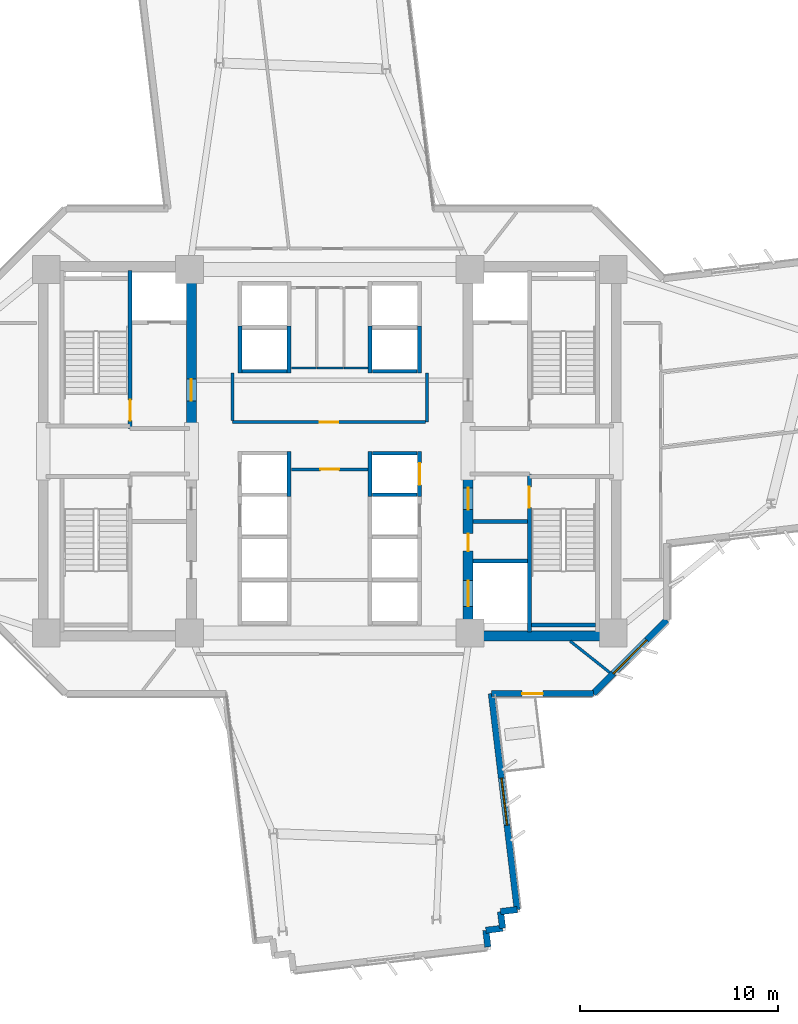
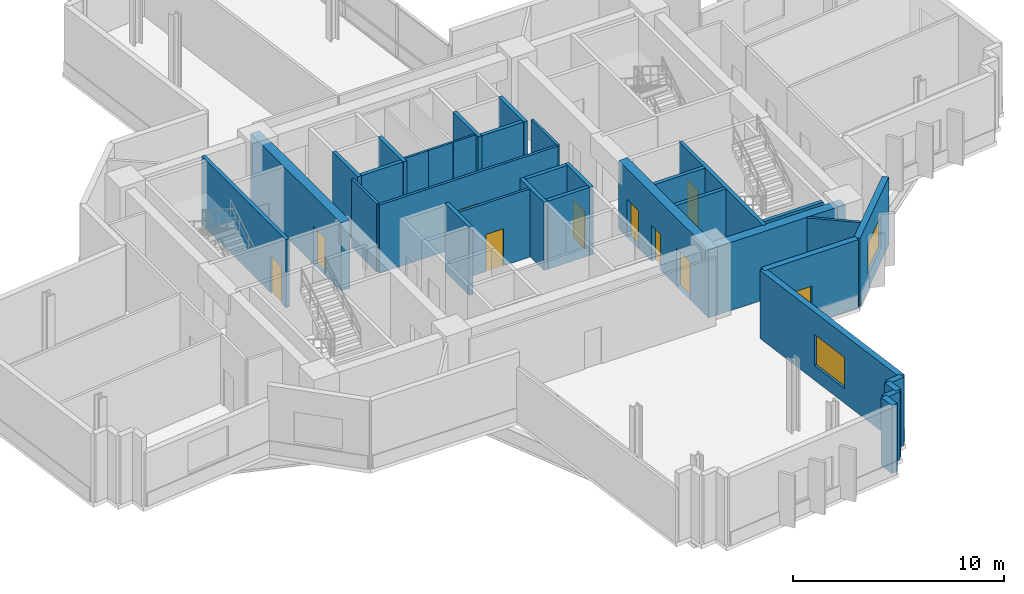
# One storey, part 7 of 15: 34 walls, 10 doors, 2 windows, 12 openings.
"""IFC4 building model written with IfcOpenShell, lengths in metres."""

from ifc_helpers import new_model, si_unit, direction, frame, frame_2d, origin, place, context, subcontext, project, spatial, rectangle, extrude, source, transform, mapped, material, layer, layer_set, type_object, element, fill, save


model = new_model("IFC4")

# Units and contexts
model_context = context("Model", 3, precision=1e-05, world=origin(), true_north=direction((0.0, 1.0)))
body_context = subcontext(model_context, "Body", "Model", "MODEL_VIEW")
ifc_project = project(units=[si_unit("LENGTHUNIT", "METRE"), si_unit("AREAUNIT", "SQUARE_METRE"), si_unit("VOLUMEUNIT", "CUBIC_METRE"), si_unit("PLANEANGLEUNIT", "RADIAN"), si_unit("MASSUNIT", "GRAM", prefix="KILO")], contexts=[model_context])

# Site, building, storey
site_placement = place(None, origin())
site = spatial("IfcSite", under=ifc_project, at=site_placement, CompositionType="ELEMENT")
building_placement = place(site_placement, origin())
building = spatial("IfcBuilding", under=site, at=building_placement, Name="Zahravan Cultural Tower", CompositionType="ELEMENT")
storey_placement = place(building_placement, frame((0.0, 0.0, 113.10009765625)))
storey = spatial("IfcBuildingStorey", under=building, at=storey_placement, Name="L25", CompositionType="ELEMENT", Elevation=113.10009765625)

# Wall, opening, door
ifc_material_1 = material(Name="Concrete C60/75", Category="concrete")
ifc_layer_1 = layer(ifc_material_1, 0.5)
ifc_layer_set_1 = layer_set([ifc_layer_1], Name="Concrete C60/75")
wall_type_1 = type_object("IfcWallType", Name="CW-SHEAR-500-C60", PredefinedType="SHEAR", material=ifc_layer_set_1)
wall_1_placement = place(storey_placement, frame((29.0, 28.050048828125, 0.0), z_axis=(0.0, 0.0, 1.0), x_axis=(0.0, 1.0, 0.0)))
wall_1 = element("IfcWall", 1, at=wall_1_placement, inside=storey, type_object=wall_type_1, Name="L25 Core Shear Wall CW-W-EN-L25", PredefinedType="SHEAR", context=body_context, shape_type="SweptSolid", body=[
    extrude(rectangle(XDim=8.550048828125, YDim=0.5, at=frame_2d((4.27490234375, 0.0))), origin(), (0.0, 0.0, 1.0), 3.949951171875),
])
opening_1_placement = place(wall_1_placement, frame((1.5, 0.0, 0.0)))
opening_1 = element("IfcOpeningElement", 2, at=opening_1_placement, cuts=wall_1, Name="Opening D-L25-05", PredefinedType="OPENING", context=body_context, shape_type="SweptSolid", body=[
    extrude(rectangle(XDim=1.10009765625, YDim=2.199951171875, at=frame_2d((0.550048828125, 1.10009765625))), frame((0.0, 0.260009765625, 0.0), z_axis=(0.0, -1.0, 0.0), x_axis=(1.0, 0.0, 0.0)), (0.0, 0.0, 1.0), 0.52001953125),
])
ifc_material_2 = material(Name="Steel ASTM A572 Grade 50", Category="steel")
door_type_1 = type_object("IfcDoorType", Name="DR-LOBBY-1100", OperationType="NOTDEFINED", PredefinedType="DOOR", material=ifc_material_2)
shared_shape_1 = source(origin(), body_context, "Body", "SweptSolid", [
    extrude(rectangle(XDim=1.10009765625, YDim=2.199951171875, at=frame_2d((0.550048828125, 1.10009765625))), frame((0.0, 0.02490234375, 0.0), z_axis=(0.0, -1.0, 0.0), x_axis=(1.0, 0.0, 0.0)), (0.0, 0.0, 1.0), 0.050048828125),
])
door_1_placement = place(opening_1_placement, origin())
door_1 = element("IfcDoor", 3, at=door_1_placement, inside=storey, type_object=door_type_1, Name="L25 Door D-L25-05", OperationType="SINGLE_SWING_RIGHT", OverallHeight=2.199951171875, OverallWidth=1.10009765625, PredefinedType="DOOR", context=body_context, shape_type="MappedRepresentation", body=[
    mapped(shared_shape_1, transform((0.0, 0.0, 0.0), x_axis=(1.0, 0.0, 0.0), y_axis=(0.0, 1.0, 0.0), z_axis=(0.0, 0.0, 1.0), scale=1.0)),
])
fill(opening_1, door_1)

# Wall, openings, doors
wall_2_placement = place(storey_placement, frame((43.0, 17.39990234375, 0.0), z_axis=(0.0, 0.0, 1.0), x_axis=(0.0, 1.0, 0.0)))
wall_2 = element("IfcWall", 4, at=wall_2_placement, inside=storey, type_object=wall_type_1, Name="L25 Core Shear Wall CW-E-WS-L25", PredefinedType="SHEAR", context=body_context, shape_type="SweptSolid", body=[
    extrude(rectangle(XDim=8.550048828125, YDim=0.5, at=frame_2d((4.27490234375, 0.0))), origin(), (0.0, 0.0, 1.0), 3.949951171875),
])
opening_2_placement = place(wall_2_placement, frame((6.64990234375, 0.0, 0.0)))
opening_2 = element("IfcOpeningElement", 5, at=opening_2_placement, cuts=wall_2, Name="Opening D-L25-08", PredefinedType="OPENING", context=body_context, shape_type="SweptSolid", body=[
    extrude(rectangle(XDim=1.10009765625, YDim=2.199951171875, at=frame_2d((0.550048828125, 1.10009765625))), frame((0.0, 0.260009765625, 0.0), z_axis=(0.0, -1.0, 0.0), x_axis=(1.0, 0.0, 0.0)), (0.0, 0.0, 1.0), 0.52001953125),
])
opening_3_placement = place(wall_2_placement, frame((1.75, 0.0, 0.0)))
opening_3 = element("IfcOpeningElement", 6, at=opening_3_placement, cuts=wall_2, Name="Opening LD-L25-03", PredefinedType="OPENING", context=body_context, shape_type="SweptSolid", body=[
    extrude(rectangle(XDim=1.300048828125, YDim=2.199951171875, at=frame_2d((0.64990234375, 1.10009765625))), frame((0.0, 0.260009765625, 0.0), z_axis=(0.0, -1.0, 0.0), x_axis=(1.0, 0.0, 0.0)), (0.0, 0.0, 1.0), 0.52001953125),
])
opening_4_placement = place(wall_2_placement, frame((4.550048828125, 0.0, 0.0)))
opening_4 = element("IfcOpeningElement", 7, at=opening_4_placement, cuts=wall_2, Name="Opening D-L25-10", PredefinedType="OPENING", context=body_context, shape_type="SweptSolid", body=[
    extrude(rectangle(XDim=0.8798828125, YDim=2.10009765625, at=frame_2d((0.43994140625, 1.050048828125))), frame((0.0, 0.260009765625, 0.0), z_axis=(0.0, -1.0, 0.0), x_axis=(1.0, 0.0, 0.0)), (0.0, 0.0, 1.0), 0.52001953125),
])
door_2_placement = place(opening_2_placement, origin())
door_2 = element("IfcDoor", 8, at=door_2_placement, inside=storey, type_object=door_type_1, Name="L25 Door D-L25-08", OperationType="SINGLE_SWING_LEFT", OverallHeight=2.199951171875, OverallWidth=1.10009765625, PredefinedType="DOOR", context=body_context, shape_type="MappedRepresentation", body=[
    mapped(shared_shape_1, transform((0.0, 0.0, 0.0), x_axis=(1.0, 0.0, 0.0), y_axis=(0.0, 1.0, 0.0), z_axis=(0.0, 0.0, 1.0), scale=1.0)),
])
fill(opening_2, door_2)
door_type_2 = type_object("IfcDoorType", Name="DR-LIFT-1300", OperationType="DOUBLE_DOOR_SLIDING", PredefinedType="DOOR", material=ifc_material_2)
shared_shape_2 = source(origin(), body_context, "Body", "SweptSolid", [
    extrude(rectangle(XDim=1.300048828125, YDim=2.199951171875, at=frame_2d((0.64990234375, 1.10009765625))), frame((0.0, 0.02490234375, 0.0), z_axis=(0.0, -1.0, 0.0), x_axis=(1.0, 0.0, 0.0)), (0.0, 0.0, 1.0), 0.050048828125),
])
door_3_placement = place(opening_3_placement, origin())
door_3 = element("IfcDoor", 9, at=door_3_placement, inside=storey, type_object=door_type_2, Name="L25 Door LD-L25-03", OperationType="DOUBLE_DOOR_SLIDING", OverallHeight=2.199951171875, OverallWidth=1.300048828125, PredefinedType="DOOR", context=body_context, shape_type="MappedRepresentation", body=[
    mapped(shared_shape_2, transform((0.0, 0.0, 0.0), x_axis=(1.0, 0.0, 0.0), y_axis=(0.0, 1.0, 0.0), z_axis=(0.0, 0.0, 1.0), scale=1.0)),
])
fill(opening_3, door_3)
door_type_3 = type_object("IfcDoorType", Name="DR-SVC-880", OperationType="NOTDEFINED", PredefinedType="DOOR", material=ifc_material_2)
shared_shape_3 = source(origin(), body_context, "Body", "SweptSolid", [
    extrude(rectangle(XDim=0.8798828125, YDim=2.10009765625, at=frame_2d((0.43994140625, 1.050048828125))), frame((0.0, 0.02490234375, 0.0), z_axis=(0.0, -1.0, 0.0), x_axis=(1.0, 0.0, 0.0)), (0.0, 0.0, 1.0), 0.050048828125),
])
door_4_placement = place(opening_4_placement, origin())
door_4 = element("IfcDoor", 10, at=door_4_placement, inside=storey, type_object=door_type_3, Name="L25 Door D-L25-10", OperationType="SINGLE_SWING_LEFT", OverallHeight=2.10009765625, OverallWidth=0.8798828125, PredefinedType="DOOR", context=body_context, shape_type="MappedRepresentation", body=[
    mapped(shared_shape_3, transform((0.0, 0.0, 0.0), x_axis=(1.0, 0.0, 0.0), y_axis=(0.0, 1.0, 0.0), z_axis=(0.0, 0.0, 1.0), scale=1.0)),
])
fill(opening_4, door_4)

# Wall, opening, window
ifc_material_3 = material(Name="Precast concrete C40/50", Category="concrete")
ifc_layer_2 = layer(ifc_material_3, 0.320068359375)
ifc_layer_set_2 = layer_set([ifc_layer_2], Name="Precast concrete C40/50")
wall_type_2 = type_object("IfcWallType", Name="EW-TC-320", PredefinedType="SOLIDWALL", material=ifc_layer_set_2)
wall_3_placement = place(storey_placement, frame((53.06005859375, 18.4580078125, 0.0), z_axis=(0.0, 0.0, 1.0), x_axis=(-0.707106781187, -0.707106781187, 0.0)))
wall_3 = element("IfcWall", 11, at=wall_3_placement, inside=storey, type_object=wall_type_2, Name="L25 Exterior Masonry Frame Wall 13", PredefinedType="SOLIDWALL", context=body_context, shape_type="SweptSolid", body=[
    extrude(rectangle(XDim=5.258056640625, YDim=0.320068359375, at=frame_2d((2.62890625, 0.0))), origin(), (0.0, 0.0, 1.0), 3.949951171875),
])
opening_5_placement = place(wall_3_placement, frame((1.428955078125, 0.0, 0.85009765625)))
opening_5 = element("IfcOpeningElement", 12, at=opening_5_placement, cuts=wall_3, Name="Opening WN-01", PredefinedType="OPENING", context=body_context, shape_type="SweptSolid", body=[
    extrude(rectangle(XDim=2.39990234375, YDim=1.800048828125, at=frame_2d((1.199951171875, 0.89990234375))), frame((0.0, 0.169921875, 0.0), z_axis=(0.0, -1.0, 0.0), x_axis=(1.0, 0.0, 0.0)), (0.0, 0.0, 1.0), 0.340087890625),
])
ifc_material_4 = material(Name="Low-E solar-control double glazing", Category="glass")
window_type = type_object("IfcWindowType", Name="WN-REC-2400X1800", PartitioningType="DOUBLE_PANEL_VERTICAL", PredefinedType="WINDOW", material=ifc_material_4)
shared_shape_4 = source(origin(), body_context, "Body", "SweptSolid", [
    extrude(rectangle(XDim=2.39990234375, YDim=1.800048828125, at=frame_2d((1.199951171875, 0.89990234375))), frame((0.0, 0.030029296875, 0.0), z_axis=(0.0, -1.0, 0.0), x_axis=(1.0, 0.0, 0.0)), (0.0, 0.0, 1.0), 0.06005859375),
])
window_1_placement = place(opening_5_placement, origin())
window_1 = element("IfcWindow", 13, at=window_1_placement, inside=storey, type_object=window_type, Name="L25 Recessed Solar Window 04", OverallHeight=1.800048828125, OverallWidth=2.39990234375, PartitioningType="DOUBLE_PANEL_VERTICAL", PredefinedType="WINDOW", context=body_context, shape_type="MappedRepresentation", body=[
    mapped(shared_shape_4, transform((0.0, 0.0, 0.0), x_axis=(1.0, 0.0, 0.0), y_axis=(0.0, 1.0, 0.0), z_axis=(0.0, 0.0, 1.0), scale=1.0)),
])
fill(opening_5, window_1)

# Wall, opening, door
wall_4_placement = place(storey_placement, frame((49.342041015625, 14.739990234375, 0.0), z_axis=(0.0, 0.0, 1.0), x_axis=(-1.0, 0.0, 0.0)))
wall_4 = element("IfcWall", 14, at=wall_4_placement, inside=storey, type_object=wall_type_2, Name="L25 Exterior Masonry Frame Wall 14", PredefinedType="SOLIDWALL", context=body_context, shape_type="SweptSolid", body=[
    extrude(rectangle(XDim=5.16357421875, YDim=0.320068359375, at=frame_2d((2.581787109375, 0.0))), origin(), (0.0, 0.0, 1.0), 3.949951171875),
])
opening_6_placement = place(wall_4_placement, frame((2.550048828125, 0.0, 0.0)))
opening_6 = element("IfcOpeningElement", 15, at=opening_6_placement, cuts=wall_4, Name="Opening D-L25-TR-SE", PredefinedType="OPENING", context=body_context, shape_type="SweptSolid", body=[
    extrude(rectangle(XDim=1.050048828125, YDim=2.14990234375, at=frame_2d((0.52490234375, 1.074951171875))), frame((0.0, 0.169921875, 0.0), z_axis=(0.0, -1.0, 0.0), x_axis=(1.0, 0.0, 0.0)), (0.0, 0.0, 1.0), 0.340087890625),
])
ifc_material_5 = material(Name="Anodised bronze-aluminium mullion", Category="aluminium")
door_type_4 = type_object("IfcDoorType", Name="DR-TERR-1050", OperationType="NOTDEFINED", PredefinedType="DOOR", material=ifc_material_5)
shared_shape_5 = source(origin(), body_context, "Body", "SweptSolid", [
    extrude(rectangle(XDim=1.050048828125, YDim=2.14990234375, at=frame_2d((0.52490234375, 1.074951171875))), frame((0.0, 0.02490234375, 0.0), z_axis=(0.0, -1.0, 0.0), x_axis=(1.0, 0.0, 0.0)), (0.0, 0.0, 1.0), 0.050048828125),
])
door_5_placement = place(opening_6_placement, origin())
door_5 = element("IfcDoor", 16, at=door_5_placement, inside=storey, type_object=door_type_4, Name="L25 Terrace Access Door SE", OperationType="SINGLE_SWING_RIGHT", OverallHeight=2.14990234375, OverallWidth=1.050048828125, PredefinedType="DOOR", context=body_context, shape_type="MappedRepresentation", body=[
    mapped(shared_shape_5, transform((0.0, 0.0, 0.0), x_axis=(1.0, 0.0, 0.0), y_axis=(0.0, 1.0, 0.0), z_axis=(0.0, 0.0, 1.0), scale=1.0)),
])
fill(opening_6, door_5)

# Wall, opening, window
wall_5_placement = place(storey_placement, frame((44.178466796875, 14.739990234375, 0.0), z_axis=(0.0, 0.0, 1.0), x_axis=(0.119086653457, -0.992883864794, 0.0)))
wall_5 = element("IfcWall", 17, at=wall_5_placement, inside=storey, type_object=wall_type_2, Name="L25 Exterior Masonry Frame Wall 15", PredefinedType="SOLIDWALL", context=body_context, shape_type="SweptSolid", body=[
    extrude(rectangle(XDim=11.01318359375, YDim=0.320068359375, at=frame_2d((5.506591796875, 0.0))), origin(), (0.0, 0.0, 1.0), 3.949951171875),
])
opening_7_placement = place(wall_5_placement, frame((4.306884765625, 0.0, 0.85009765625)))
opening_7 = element("IfcOpeningElement", 18, at=opening_7_placement, cuts=wall_5, Name="Opening WN-01", PredefinedType="OPENING", context=body_context, shape_type="SweptSolid", body=[
    extrude(rectangle(XDim=2.39990234375, YDim=1.800048828125, at=frame_2d((1.199951171875, 0.89990234375))), frame((0.0, 0.169921875, 0.0), z_axis=(0.0, -1.0, 0.0), x_axis=(1.0, 0.0, 0.0)), (0.0, 0.0, 1.0), 0.340087890625),
])
window_2_placement = place(opening_7_placement, origin())
window_2 = element("IfcWindow", 19, at=window_2_placement, inside=storey, type_object=window_type, Name="L25 Recessed Solar Window 05", OverallHeight=1.800048828125, OverallWidth=2.39990234375, PartitioningType="DOUBLE_PANEL_VERTICAL", PredefinedType="WINDOW", context=body_context, shape_type="MappedRepresentation", body=[
    mapped(shared_shape_4, transform((0.0, 0.0, 0.0), x_axis=(1.0, 0.0, 0.0), y_axis=(0.0, 1.0, 0.0), z_axis=(0.0, 0.0, 1.0), scale=1.0)),
])
fill(opening_7, window_2)

# Wall, opening, door
ifc_material_6 = material(Name="Gypsum plasterboard partition")
ifc_layer_3 = layer(ifc_material_6, 0.139892578125)
ifc_layer_set_3 = layer_set([ifc_layer_3], Name="Gypsum plasterboard partition")
wall_type_3 = type_object("IfcWallType", Name="W-PART-140", PredefinedType="PARTITIONING", material=ifc_layer_set_3)
wall_6_placement = place(storey_placement, frame((34.054931640625, 26.080078125, 0.0), z_axis=(0.0, 0.0, 1.0), x_axis=(1.0, 0.0, 0.0)))
wall_6 = element("IfcWall", 20, at=wall_6_placement, inside=storey, type_object=wall_type_3, Name="L25 Interior Wall 074", PredefinedType="PARTITIONING", context=body_context, shape_type="SweptSolid", body=[
    extrude(rectangle(XDim=3.89013671875, YDim=0.139892578125, at=frame_2d((1.945068359375, 0.0))), origin(), (0.0, 0.0, 1.0), 3.949951171875),
])
opening_8_placement = place(wall_6_placement, frame((1.469970703125, 0.0, 0.0)))
opening_8 = element("IfcOpeningElement", 21, at=opening_8_placement, cuts=wall_6, Name="Opening D-L25-14", PredefinedType="OPENING", context=body_context, shape_type="SweptSolid", body=[
    extrude(rectangle(XDim=0.949951171875, YDim=2.14990234375, at=frame_2d((0.47509765625, 1.074951171875))), frame((0.0, 0.079833984375, 0.0), z_axis=(0.0, -1.0, 0.0), x_axis=(1.0, 0.0, 0.0)), (0.0, 0.0, 1.0), 0.159912109375),
])
door_type_5 = type_object("IfcDoorType", Name="DR-ROOM-950", OperationType="NOTDEFINED", PredefinedType="DOOR", material=ifc_material_5)
shared_shape_6 = source(origin(), body_context, "Body", "SweptSolid", [
    extrude(rectangle(XDim=0.949951171875, YDim=2.14990234375, at=frame_2d((0.47509765625, 1.074951171875))), frame((0.0, 0.02490234375, 0.0), z_axis=(0.0, -1.0, 0.0), x_axis=(1.0, 0.0, 0.0)), (0.0, 0.0, 1.0), 0.050048828125),
])
door_6_placement = place(opening_8_placement, origin())
door_6 = element("IfcDoor", 22, at=door_6_placement, inside=storey, type_object=door_type_5, Name="L25 Door D-L25-14", OperationType="SINGLE_SWING_LEFT", OverallHeight=2.14990234375, OverallWidth=0.949951171875, PredefinedType="DOOR", context=body_context, shape_type="MappedRepresentation", body=[
    mapped(shared_shape_6, transform((0.0, 0.0, 0.0), x_axis=(1.0, 0.0, 0.0), y_axis=(0.0, 1.0, 0.0), z_axis=(0.0, 0.0, 1.0), scale=1.0)),
])
fill(opening_8, door_6)

wall_7_placement = place(storey_placement, frame((40.844970703125, 28.47998046875, 0.0), z_axis=(0.0, 0.0, 1.0), x_axis=(-1.0, 0.0, 0.0)))
wall_7 = element("IfcWall", 23, at=wall_7_placement, inside=storey, type_object=wall_type_3, Name="L25 Interior Wall 077", PredefinedType="PARTITIONING", context=body_context, shape_type="SweptSolid", body=[
    extrude(rectangle(XDim=9.764892578125, YDim=0.139892578125, at=frame_2d((4.88232421875, 0.0))), origin(), (0.0, 0.0, 1.0), 3.949951171875),
])
opening_9_placement = place(wall_7_placement, frame((4.407470703125, 0.0, 0.0)))
opening_9 = element("IfcOpeningElement", 24, at=opening_9_placement, cuts=wall_7, Name="Opening D-L25-15", PredefinedType="OPENING", context=body_context, shape_type="SweptSolid", body=[
    extrude(rectangle(XDim=0.949951171875, YDim=2.14990234375, at=frame_2d((0.47509765625, 1.074951171875))), frame((0.0, 0.079833984375, 0.0), z_axis=(0.0, -1.0, 0.0), x_axis=(1.0, 0.0, 0.0)), (0.0, 0.0, 1.0), 0.159912109375),
])
door_7_placement = place(opening_9_placement, origin())
door_7 = element("IfcDoor", 25, at=door_7_placement, inside=storey, type_object=door_type_5, Name="L25 Door D-L25-15", OperationType="SINGLE_SWING_RIGHT", OverallHeight=2.14990234375, OverallWidth=0.949951171875, PredefinedType="DOOR", context=body_context, shape_type="MappedRepresentation", body=[
    mapped(shared_shape_6, transform((0.0, 0.0, 0.0), x_axis=(1.0, 0.0, 0.0), y_axis=(0.0, 1.0, 0.0), z_axis=(0.0, 0.0, 1.0), scale=1.0)),
])
fill(opening_9, door_7)

ifc_material_7 = material(Name="Concrete C45/55", Category="concrete")
ifc_layer_4 = layer(ifc_material_7, 0.199951171875)
ifc_layer_set_4 = layer_set([ifc_layer_4], Name="Concrete C45/55")
wall_type_4 = type_object("IfcWallType", Name="W-SHAFT-200", PredefinedType="SOLIDWALL", material=ifc_layer_set_4)
wall_8_placement = place(storey_placement, frame((25.89990234375, 28.14990234375, 0.0), z_axis=(0.0, 0.0, 1.0), x_axis=(0.0, 1.0, 0.0)))
wall_8 = element("IfcWall", 26, at=wall_8_placement, inside=storey, type_object=wall_type_4, Name="L25 Interior Wall 006", PredefinedType="SOLIDWALL", context=body_context, shape_type="SweptSolid", body=[
    extrude(rectangle(XDim=8.0, YDim=0.199951171875, at=frame_2d((4.0, 0.0))), origin(), (0.0, 0.0, 1.0), 3.949951171875),
])
opening_10_placement = place(wall_8_placement, frame((0.39990234375, 0.0, 0.0)))
opening_10 = element("IfcOpeningElement", 27, at=opening_10_placement, cuts=wall_8, Name="Opening D-L25-01", PredefinedType="OPENING", context=body_context, shape_type="SweptSolid", body=[
    extrude(rectangle(XDim=1.050048828125, YDim=2.14990234375, at=frame_2d((0.52490234375, 1.074951171875))), frame((0.0, 0.10986328125, 0.0), z_axis=(0.0, -1.0, 0.0), x_axis=(1.0, 0.0, 0.0)), (0.0, 0.0, 1.0), 0.219970703125),
])
door_type_6 = type_object("IfcDoorType", Name="DR-STAIR-1050", OperationType="NOTDEFINED", PredefinedType="DOOR", material=ifc_material_2)
door_8_placement = place(opening_10_placement, origin())
door_8 = element("IfcDoor", 28, at=door_8_placement, inside=storey, type_object=door_type_6, Name="L25 Door D-L25-01", OperationType="SINGLE_SWING_RIGHT", OverallHeight=2.14990234375, OverallWidth=1.050048828125, PredefinedType="DOOR", context=body_context, shape_type="MappedRepresentation", body=[
    mapped(shared_shape_5, transform((0.0, 0.0, 0.0), x_axis=(1.0, 0.0, 0.0), y_axis=(0.0, 1.0, 0.0), z_axis=(0.0, 0.0, 1.0), scale=1.0)),
])
fill(opening_10, door_8)

wall_9_placement = place(storey_placement, frame((46.10009765625, 17.85009765625, 0.0), z_axis=(0.0, 0.0, 1.0), x_axis=(0.0, 1.0, 0.0)))
wall_9 = element("IfcWall", 29, at=wall_9_placement, inside=storey, type_object=wall_type_4, Name="L25 Interior Wall 007", PredefinedType="SOLIDWALL", context=body_context, shape_type="SweptSolid", body=[
    extrude(rectangle(XDim=8.0, YDim=0.199951171875, at=frame_2d((4.0, 0.0))), origin(), (0.0, 0.0, 1.0), 3.949951171875),
])
opening_11_placement = place(wall_9_placement, frame((6.300048828125, 0.0, 0.0)))
opening_11 = element("IfcOpeningElement", 30, at=opening_11_placement, cuts=wall_9, Name="Opening D-L25-03", PredefinedType="OPENING", context=body_context, shape_type="SweptSolid", body=[
    extrude(rectangle(XDim=1.050048828125, YDim=2.14990234375, at=frame_2d((0.52490234375, 1.074951171875))), frame((0.0, 0.10986328125, 0.0), z_axis=(0.0, -1.0, 0.0), x_axis=(1.0, 0.0, 0.0)), (0.0, 0.0, 1.0), 0.219970703125),
])
door_9_placement = place(opening_11_placement, origin())
door_9 = element("IfcDoor", 31, at=door_9_placement, inside=storey, type_object=door_type_6, Name="L25 Door D-L25-03", OperationType="SINGLE_SWING_RIGHT", OverallHeight=2.14990234375, OverallWidth=1.050048828125, PredefinedType="DOOR", context=body_context, shape_type="MappedRepresentation", body=[
    mapped(shared_shape_5, transform((0.0, 0.0, 0.0), x_axis=(1.0, 0.0, 0.0), y_axis=(0.0, 1.0, 0.0), z_axis=(0.0, 0.0, 1.0), scale=1.0)),
])
fill(opening_11, door_9)

wall_10_placement = place(storey_placement, frame((40.550048828125, 24.699951171875, 0.0), z_axis=(0.0, 0.0, 1.0), x_axis=(0.0, 1.0, 0.0)))
wall_10 = element("IfcWall", 32, at=wall_10_placement, inside=storey, type_object=wall_type_4, Name="L25 Interior Wall 061", PredefinedType="SOLIDWALL", context=body_context, shape_type="SweptSolid", body=[
    extrude(rectangle(XDim=2.300048828125, YDim=0.199951171875, at=frame_2d((1.14990234375, 0.0))), origin(), (0.0, 0.0, 1.0), 3.949951171875),
])
opening_12_placement = place(wall_10_placement, frame((0.60009765625, 0.0, 0.0)))
opening_12 = element("IfcOpeningElement", 33, at=opening_12_placement, cuts=wall_10, Name="Opening LD-L25-06", PredefinedType="OPENING", context=body_context, shape_type="SweptSolid", body=[
    extrude(rectangle(XDim=1.10009765625, YDim=2.14990234375, at=frame_2d((0.550048828125, 1.074951171875))), frame((0.0, 0.10986328125, 0.0), z_axis=(0.0, -1.0, 0.0), x_axis=(1.0, 0.0, 0.0)), (0.0, 0.0, 1.0), 0.219970703125),
])
door_type_7 = type_object("IfcDoorType", Name="DR-LIFT-1100", OperationType="DOUBLE_DOOR_SLIDING", PredefinedType="DOOR", material=ifc_material_2)
shared_shape_7 = source(origin(), body_context, "Body", "SweptSolid", [
    extrude(rectangle(XDim=1.10009765625, YDim=2.14990234375, at=frame_2d((0.550048828125, 1.074951171875))), frame((0.0, 0.02490234375, 0.0), z_axis=(0.0, -1.0, 0.0), x_axis=(1.0, 0.0, 0.0)), (0.0, 0.0, 1.0), 0.050048828125),
])
door_10_placement = place(opening_12_placement, origin())
door_10 = element("IfcDoor", 34, at=door_10_placement, inside=storey, type_object=door_type_7, Name="L25 Door LD-L25-06", OperationType="DOUBLE_DOOR_SLIDING", OverallHeight=2.14990234375, OverallWidth=1.10009765625, PredefinedType="DOOR", context=body_context, shape_type="MappedRepresentation", body=[
    mapped(shared_shape_7, transform((0.0, 0.0, 0.0), x_axis=(1.0, 0.0, 0.0), y_axis=(0.0, 1.0, 0.0), z_axis=(0.0, 0.0, 1.0), scale=1.0)),
])
fill(opening_12, door_10)

# Walls
shared_shape_8 = source(origin(), body_context, "Body", "SweptSolid", [
    extrude(rectangle(XDim=7.0, YDim=0.5, at=frame_2d((3.5, 0.0))), origin(), (0.0, 0.0, 1.0), 3.949951171875),
])
wall_11_placement = place(storey_placement, frame((43.25, 17.64990234375, 0.0), z_axis=(0.0, 0.0, 1.0), x_axis=(1.0, 0.0, 0.0)))
element("IfcWall", 35, at=wall_11_placement, inside=storey, type_object=wall_type_1, Name="L25 Core Shear Wall CW-E-S-L25", PredefinedType="SHEAR", context=body_context, shape_type="MappedRepresentation", body=[
    mapped(shared_shape_8, transform((0.0, 0.0, 0.0), x_axis=(1.0, 0.0, 0.0), y_axis=(0.0, 1.0, 0.0), z_axis=(0.0, 0.0, 1.0), scale=1.0)),
])
shared_shape_9 = source(origin(), body_context, "Body", "SweptSolid", [
    extrude(rectangle(XDim=0.85009765625, YDim=0.320068359375, at=frame_2d((0.425048828125, 0.0))), origin(), (0.0, 0.0, 1.0), 3.949951171875),
])
for number, where, z_axis, x_axis, name in (
    (36, (45.489990234375, 3.80517578125, 0.0), (0.0, 0.0, 1.0), (-0.992871401376, -0.119190521137, 0.0), "L25 Exterior Masonry Frame Wall 16"),
    (37, (44.64599609375, 3.703857421875, 0.0), (0.0, 0.0, 1.0), (0.119190521137, -0.992871401376, 0.0), "L25 Exterior Masonry Frame Wall 17"),
    (38, (44.747314453125, 2.85986328125, 0.0), (0.0, 0.0, 1.0), (-0.992905350382, -0.118907380694, 0.0), "L25 Exterior Masonry Frame Wall 18"),
    (39, (43.9033203125, 2.7587890625, 0.0), (0.0, 0.0, 1.0), (0.118907380694, -0.992905350382, 0.0), "L25 Exterior Masonry Frame Wall 19"),
):
    element("IfcWall", number, at=place(storey_placement, frame(where, z_axis=z_axis, x_axis=x_axis)), inside=storey, type_object=wall_type_2, Name=name, PredefinedType="SOLIDWALL", context=body_context, shape_type="MappedRepresentation", body=[
        mapped(shared_shape_9, transform((0.0, 0.0, 0.0), x_axis=(1.0, 0.0, 0.0), y_axis=(0.0, 1.0, 0.0), z_axis=(0.0, 0.0, 1.0), scale=1.0)),
    ])
shared_shape_10 = source(origin(), body_context, "Body", "SweptSolid", [
    extrude(rectangle(XDim=3.25, YDim=0.199951171875, at=frame_2d((1.625, 0.0))), origin(), (0.0, 0.0, 1.0), 3.949951171875),
])
wall_12_placement = place(storey_placement, frame((46.199951171875, 18.199951171875, 0.0), z_axis=(0.0, 0.0, 1.0), x_axis=(1.0, 0.0, 0.0)))
element("IfcWall", 40, at=wall_12_placement, inside=storey, type_object=wall_type_4, Name="L25 Interior Wall 020", PredefinedType="SOLIDWALL", context=body_context, shape_type="MappedRepresentation", body=[
    mapped(shared_shape_10, transform((0.0, 0.0, 0.0), x_axis=(1.0, 0.0, 0.0), y_axis=(0.0, 1.0, 0.0), z_axis=(0.0, 0.0, 1.0), scale=1.0)),
])
shared_shape_11 = source(origin(), body_context, "Body", "SweptSolid", [
    extrude(rectangle(XDim=2.75, YDim=0.199951171875, at=frame_2d((1.375, 0.0))), origin(), (0.0, 0.0, 1.0), 3.949951171875),
])
for number, where, z_axis, x_axis, name in (
    (41, (43.25, 23.449951171875, 0.0), (0.0, 0.0, 1.0), (1.0, 0.0, 0.0), "L25 Interior Wall 024"),
    (42, (43.25, 21.449951171875, 0.0), (0.0, 0.0, 1.0), (1.0, 0.0, 0.0), "L25 Interior Wall 025"),
):
    element("IfcWall", number, at=place(storey_placement, frame(where, z_axis=z_axis, x_axis=x_axis)), inside=storey, type_object=wall_type_4, Name=name, PredefinedType="SOLIDWALL", context=body_context, shape_type="MappedRepresentation", body=[
        mapped(shared_shape_11, transform((0.0, 0.0, 0.0), x_axis=(1.0, 0.0, 0.0), y_axis=(0.0, 1.0, 0.0), z_axis=(0.0, 0.0, 1.0), scale=1.0)),
    ])
shared_shape_12 = source(origin(), body_context, "Body", "SweptSolid", [
    extrude(rectangle(XDim=2.400146484375, YDim=0.199951171875, at=frame_2d((1.2001953125, 0.0))), origin(), (0.0, 0.0, 1.0), 3.949951171875),
])
for number, where, z_axis, x_axis, name in (
    (43, (31.449951171875, 30.949951171875, 0.0), (0.0, 0.0, 1.0), (0.0, 1.0, 0.0), "L25 Interior Wall 030"),
    (44, (33.949951171875, 30.949951171875, 0.0), (0.0, 0.0, 1.0), (0.0, 1.0, 0.0), "L25 Interior Wall 031"),
    (45, (38.050048828125, 30.949951171875, 0.0), (0.0, 0.0, 1.0), (0.0, 1.0, 0.0), "L25 Interior Wall 037"),
    (46, (40.550048828125, 30.949951171875, 0.0), (0.0, 0.0, 1.0), (0.0, 1.0, 0.0), "L25 Interior Wall 038"),
):
    element("IfcWall", number, at=place(storey_placement, frame(where, z_axis=z_axis, x_axis=x_axis)), inside=storey, type_object=wall_type_4, Name=name, PredefinedType="SOLIDWALL", context=body_context, shape_type="MappedRepresentation", body=[
        mapped(shared_shape_12, transform((0.0, 0.0, 0.0), x_axis=(1.0, 0.0, 0.0), y_axis=(0.0, 1.0, 0.0), z_axis=(0.0, 0.0, 1.0), scale=1.0)),
    ])
shared_shape_13 = source(origin(), body_context, "Body", "SweptSolid", [
    extrude(rectangle(XDim=2.260009765625, YDim=0.199951171875, at=frame_2d((1.1298828125, 0.0))), origin(), (0.0, 0.0, 1.0), 3.949951171875),
])
for number, where, z_axis, x_axis, name in (
    (47, (31.570068359375, 31.050048828125, 0.0), (0.0, 0.0, 1.0), (1.0, 0.0, 0.0), "L25 Interior Wall 032"),
    (48, (38.169921875, 31.050048828125, 0.0), (0.0, 0.0, 1.0), (1.0, 0.0, 0.0), "L25 Interior Wall 039"),
    (49, (38.169921875, 24.800048828125, 0.0), (0.0, 0.0, 1.0), (1.0, 0.0, 0.0), "L25 Interior Wall 062"),
    (50, (38.169921875, 26.89990234375, 0.0), (0.0, 0.0, 1.0), (1.0, 0.0, 0.0), "L25 Interior Wall 063"),
):
    element("IfcWall", number, at=place(storey_placement, frame(where, z_axis=z_axis, x_axis=x_axis)), inside=storey, type_object=wall_type_4, Name=name, PredefinedType="SOLIDWALL", context=body_context, shape_type="MappedRepresentation", body=[
        mapped(shared_shape_13, transform((0.0, 0.0, 0.0), x_axis=(1.0, 0.0, 0.0), y_axis=(0.0, 1.0, 0.0), z_axis=(0.0, 0.0, 1.0), scale=1.0)),
    ])
shared_shape_14 = source(origin(), body_context, "Body", "SweptSolid", [
    extrude(rectangle(XDim=2.300048828125, YDim=0.199951171875, at=frame_2d((1.14990234375, 0.0))), origin(), (0.0, 0.0, 1.0), 3.949951171875),
])
for number, where, z_axis, x_axis, name in (
    (51, (33.949951171875, 24.699951171875, 0.0), (0.0, 0.0, 1.0), (0.0, 1.0, 0.0), "L25 Interior Wall 055"),
    (52, (38.050048828125, 24.699951171875, 0.0), (0.0, 0.0, 1.0), (0.0, 1.0, 0.0), "L25 Interior Wall 060"),
):
    element("IfcWall", number, at=place(storey_placement, frame(where, z_axis=z_axis, x_axis=x_axis)), inside=storey, type_object=wall_type_4, Name=name, PredefinedType="SOLIDWALL", context=body_context, shape_type="MappedRepresentation", body=[
        mapped(shared_shape_14, transform((0.0, 0.0, 0.0), x_axis=(1.0, 0.0, 0.0), y_axis=(0.0, 1.0, 0.0), z_axis=(0.0, 0.0, 1.0), scale=1.0)),
    ])
ifc_layer_5 = layer(ifc_material_6, 0.114990234375)
ifc_layer_set_5 = layer_set([ifc_layer_5], Name="Gypsum plasterboard partition")
wall_type_5 = type_object("IfcWallType", Name="W-WC-115", PredefinedType="PARTITIONING", material=ifc_layer_set_5)
shared_shape_15 = source(origin(), body_context, "Body", "SweptSolid", [
    extrude(rectangle(XDim=1.22509765625, YDim=0.114990234375, at=frame_2d((0.612548828125, 0.0))), origin(), (0.0, 0.0, 1.0), 3.949951171875),
])
wall_13_placement = place(storey_placement, frame((37.945068359375, 31.219970703125, 0.0), z_axis=(0.0, 0.0, 1.0), x_axis=(-1.0, 0.0, 0.0)))
element("IfcWall", 53, at=wall_13_placement, inside=storey, type_object=wall_type_5, Name="L25 Interior Wall 066", PredefinedType="PARTITIONING", context=body_context, shape_type="MappedRepresentation", body=[
    mapped(shared_shape_15, transform((0.0, 0.0, 0.0), x_axis=(1.0, 0.0, 0.0), y_axis=(0.0, 1.0, 0.0), z_axis=(0.0, 0.0, 1.0), scale=1.0)),
])
shared_shape_16 = source(origin(), body_context, "Body", "SweptSolid", [
    extrude(rectangle(XDim=1.28515625, YDim=0.114990234375, at=frame_2d((0.642578125, 0.0))), origin(), (0.0, 0.0, 1.0), 3.949951171875),
])
wall_14_placement = place(storey_placement, frame((35.340087890625, 31.219970703125, 0.0), z_axis=(0.0, 0.0, 1.0), x_axis=(-1.0, 0.0, 0.0)))
element("IfcWall", 54, at=wall_14_placement, inside=storey, type_object=wall_type_5, Name="L25 Interior Wall 069", PredefinedType="PARTITIONING", context=body_context, shape_type="MappedRepresentation", body=[
    mapped(shared_shape_16, transform((0.0, 0.0, 0.0), x_axis=(1.0, 0.0, 0.0), y_axis=(0.0, 1.0, 0.0), z_axis=(0.0, 0.0, 1.0), scale=1.0)),
])
shared_shape_17 = source(origin(), body_context, "Body", "SweptSolid", [
    extrude(rectangle(XDim=1.33984375, YDim=0.114990234375, at=frame_2d((0.669921875, 0.0))), origin(), (0.0, 0.0, 1.0), 3.949951171875),
])
wall_15_placement = place(storey_placement, frame((36.699951171875, 31.219970703125, 0.0), z_axis=(0.0, 0.0, 1.0), x_axis=(-1.0, 0.0, 0.0)))
element("IfcWall", 55, at=wall_15_placement, inside=storey, type_object=wall_type_5, Name="L25 Interior Wall 072", PredefinedType="PARTITIONING", context=body_context, shape_type="MappedRepresentation", body=[
    mapped(shared_shape_17, transform((0.0, 0.0, 0.0), x_axis=(1.0, 0.0, 0.0), y_axis=(0.0, 1.0, 0.0), z_axis=(0.0, 0.0, 1.0), scale=1.0)),
])
shared_shape_18 = source(origin(), body_context, "Body", "SweptSolid", [
    extrude(rectangle(XDim=2.469970703125, YDim=0.139892578125, at=frame_2d((1.23486328125, 0.0))), origin(), (0.0, 0.0, 1.0), 3.949951171875),
])
wall_16_placement = place(storey_placement, frame((40.919921875, 30.949951171875, 0.0), z_axis=(0.0, 0.0, 1.0), x_axis=(0.0, -1.0, 0.0)))
element("IfcWall", 56, at=wall_16_placement, inside=storey, type_object=wall_type_3, Name="L25 Interior Wall 076", PredefinedType="PARTITIONING", context=body_context, shape_type="MappedRepresentation", body=[
    mapped(shared_shape_18, transform((0.0, 0.0, 0.0), x_axis=(1.0, 0.0, 0.0), y_axis=(0.0, 1.0, 0.0), z_axis=(0.0, 0.0, 1.0), scale=1.0)),
])
shared_shape_19 = source(origin(), body_context, "Body", "SweptSolid", [
    extrude(rectangle(XDim=2.39501953125, YDim=0.139892578125, at=frame_2d((1.197509765625, 0.0))), origin(), (0.0, 0.0, 1.0), 3.949951171875),
])
wall_17_placement = place(storey_placement, frame((31.080078125, 28.554931640625, 0.0), z_axis=(0.0, 0.0, 1.0), x_axis=(0.0, 1.0, 0.0)))
element("IfcWall", 57, at=wall_17_placement, inside=storey, type_object=wall_type_3, Name="L25 Interior Wall 078", PredefinedType="PARTITIONING", context=body_context, shape_type="MappedRepresentation", body=[
    mapped(shared_shape_19, transform((0.0, 0.0, 0.0), x_axis=(1.0, 0.0, 0.0), y_axis=(0.0, 1.0, 0.0), z_axis=(0.0, 0.0, 1.0), scale=1.0)),
])
shared_shape_20 = source(origin(), body_context, "Body", "SweptSolid", [
    extrude(rectangle(XDim=2.5595703125, YDim=0.139892578125, at=frame_2d((1.27978515625, 0.0))), origin(), (0.0, 0.0, 1.0), 3.949951171875),
])
wall_18_placement = place(storey_placement, frame((50.172607421875, 15.803955078125, 0.0), z_axis=(0.0, 0.0, 1.0), x_axis=(-0.783347138409, 0.621584475954, 0.0)))
element("IfcWall", 58, at=wall_18_placement, inside=storey, type_object=wall_type_3, Name="L25 Interior Wall 090", PredefinedType="PARTITIONING", context=body_context, shape_type="MappedRepresentation", body=[
    mapped(shared_shape_20, transform((0.0, 0.0, 0.0), x_axis=(1.0, 0.0, 0.0), y_axis=(0.0, 1.0, 0.0), z_axis=(0.0, 0.0, 1.0), scale=1.0)),
])

save(model, "model.ifc")
